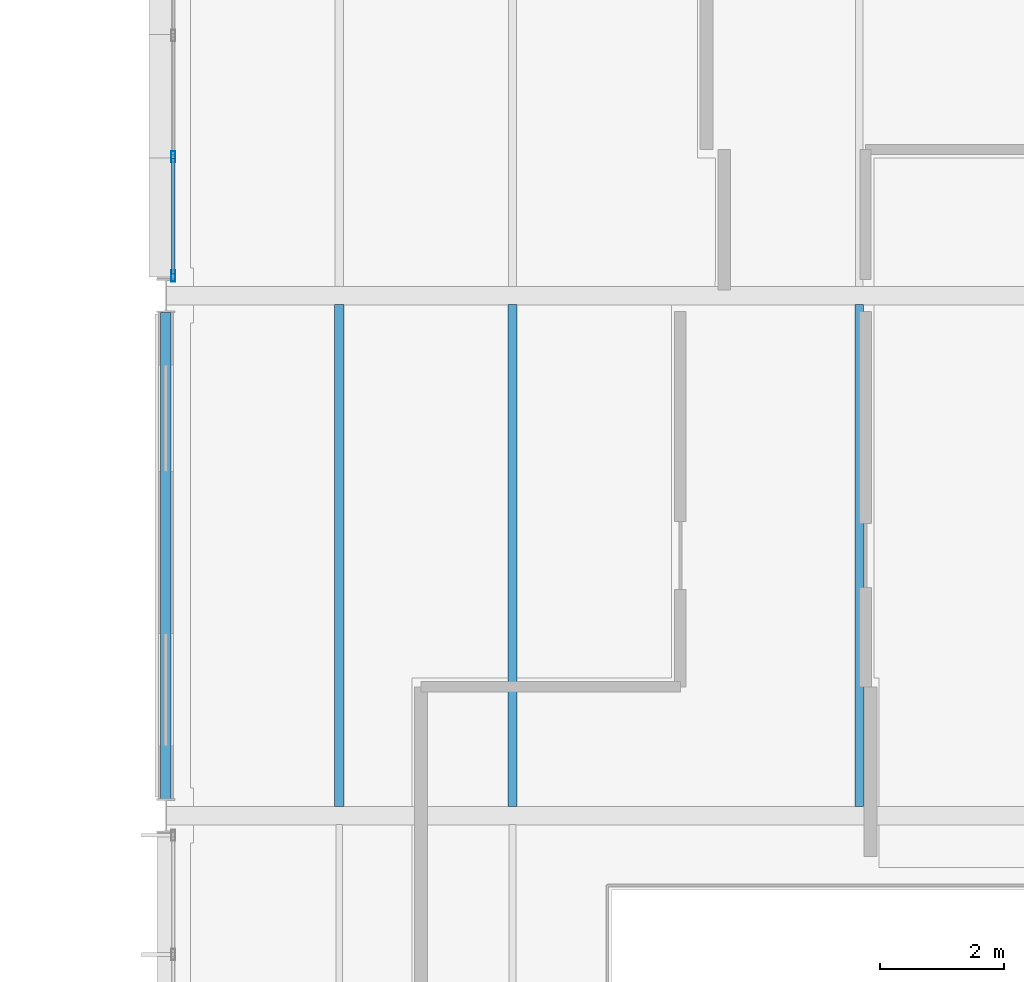
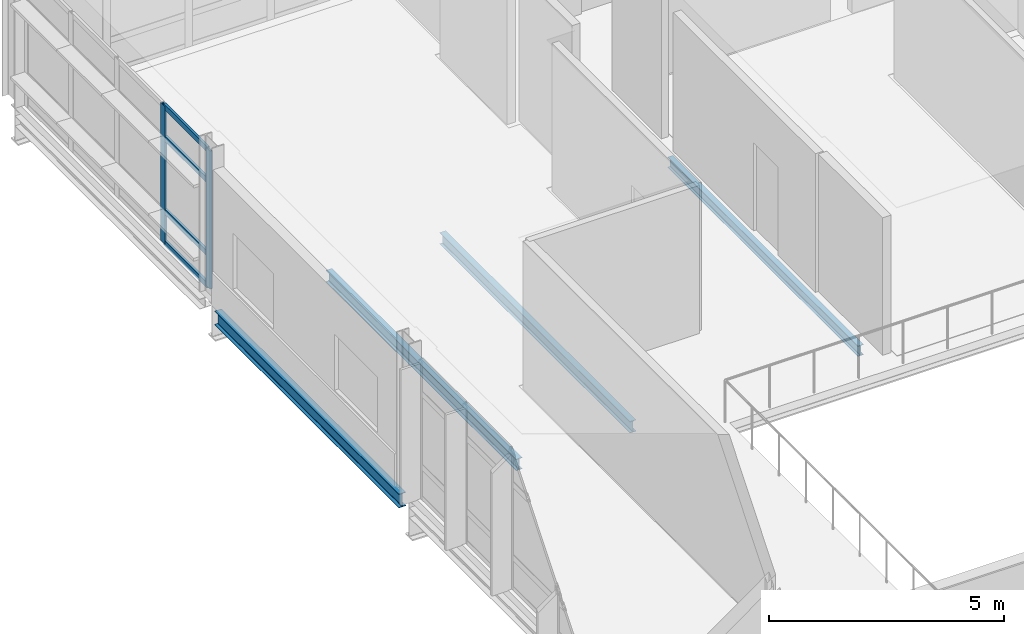
# One storey, part 52 of 131: 6 members, 4 beams, 1 element without a shape of its own.
"""IFC4 building model written with IfcOpenShell, lengths in metres."""

import ifcopenshell
import ifcopenshell.guid

model = None  # the IFC model being written
_history = None  # IfcOwnerHistory: only IFC2X3 demands one
_inside = {}  # id of a spatial element -> (the spatial element, [elements in it])
_under = {}  # id of a project, library or spatial element -> (it, [spatial elements below it])
_declared = {}  # id of a project -> (the project, [libraries it declares])
_typed = {}  # id of a type object -> (the type object, [elements of that type])
_made_of = {}  # id of a material, layer set ... -> (it, [elements and type objects made of it])


def new_model(schema):
    """Start an empty IFC model of exactly this schema.

    Asked for "IFC4X3", IfcOpenShell would pick the latest addendum, in which some entities
    have other attributes; the version numbers below select the first issue.
    IFC2X3 requires an IfcOwnerHistory on every rooted entity: one is made here for all.
    """
    global model, _history
    if schema == "IFC4X3":
        model = ifcopenshell.file(schema_version=(4, 3, 0, 0))
    else:
        model = ifcopenshell.file(schema=schema)
    _inside.clear()
    _under.clear()
    _declared.clear()
    _typed.clear()
    _made_of.clear()
    _history = None
    if model.schema == "IFC2X3":
        org = make("IfcOrganization", Name="unknown")
        user = make(
            "IfcPersonAndOrganization",
            ThePerson=make("IfcPerson", FamilyName="unknown"),
            TheOrganization=org,
        )
        app = make(
            "IfcApplication",
            ApplicationDeveloper=org,
            Version="unknown",
            ApplicationFullName="unknown",
            ApplicationIdentifier="unknown",
        )
        _history = make(
            "IfcOwnerHistory",
            OwningUser=user,
            OwningApplication=app,
            ChangeAction="ADDED",
            CreationDate=0,
        )
    return model


def make(cls, **values):
    """One entity of the class cls with the attributes given. An attribute that is None is left unset."""
    return model.create_entity(
        cls, **{name: value for name, value in values.items() if value is not None}
    )


def rooted(cls, **values):
    """An entity with a GlobalId (a new one), such as an element, a storey or a relation."""
    return make(cls, GlobalId=ifcopenshell.guid.new(), OwnerHistory=_history, **values)


def si_unit(unit_type, name, prefix=None):
    """IfcSIUnit, for example si_unit("LENGTHUNIT", "METRE", prefix="MILLI")."""
    return make("IfcSIUnit", UnitType=unit_type, Prefix=prefix, Name=name)


def assignment(units):
    """IfcUnitAssignment: the units of a project."""
    return None if units is None else make("IfcUnitAssignment", Units=units)


def point(xyz):
    """IfcCartesianPoint."""
    return None if xyz is None else make("IfcCartesianPoint", Coordinates=xyz)


def direction(xyz):
    """IfcDirection."""
    return None if xyz is None else make("IfcDirection", DirectionRatios=xyz)


def frame(location, z_axis=None, x_axis=None):
    """IfcAxis2Placement3D, a coordinate frame: its origin and axes. An axis left out is left unset."""
    return make(
        "IfcAxis2Placement3D",
        Location=point(location),
        Axis=direction(z_axis),
        RefDirection=direction(x_axis),
    )


def frame_2d(location, x_axis=None):
    """IfcAxis2Placement2D, a coordinate frame in the plane: its origin and x axis."""
    return make(
        "IfcAxis2Placement2D", Location=point(location), RefDirection=direction(x_axis)
    )


def origin():
    """The frame at (0, 0, 0) with its axes left unset."""
    return frame((0.0, 0.0, 0.0))


def origin_2d():
    """The frame at (0, 0) in the plane with its x axis left unset."""
    return frame_2d((0.0, 0.0))


def place(relative_to, where):
    """IfcLocalPlacement: puts the frame where relative to a parent placement (None: the world)."""
    return make(
        "IfcLocalPlacement", PlacementRelTo=relative_to, RelativePlacement=where
    )


def context(
    kind, dimensions, precision=None, world=None, true_north=None, identifier=None
):
    """IfcGeometricRepresentationContext, for example the 3D "Model" context."""
    return make(
        "IfcGeometricRepresentationContext",
        ContextIdentifier=identifier,
        ContextType=kind,
        CoordinateSpaceDimension=dimensions,
        Precision=precision,
        WorldCoordinateSystem=world,
        TrueNorth=true_north,
    )


def subcontext(parent, identifier, kind, view, scale=None):
    """IfcGeometricRepresentationSubContext, for example "Body" below "Model"."""
    return make(
        "IfcGeometricRepresentationSubContext",
        ContextIdentifier=identifier,
        ContextType=kind,
        ParentContext=parent,
        TargetScale=scale,
        TargetView=view,
    )


def project(units=None, contexts=None):
    """IfcProject with its units and contexts."""
    return rooted(
        "IfcProject",
        Name="project",
        RepresentationContexts=contexts,
        UnitsInContext=assignment(units),
    )


def spatial(cls, under=None, at=None, **own):
    """A site, building, storey or space (cls), placed at a placement, below another one or the project."""
    s = rooted(cls, ObjectPlacement=at, **own)
    if under is not None:
        _under.setdefault(under.id(), (under, []))[1].append(s)
    return s


def profile(cls, at=None, kind="AREA", **sizes):
    """A parametric profile (cls). Its sizes go by their IFC names, for example OverallWidth=200.0."""
    return make(cls, ProfileType=kind, Position=at, **sizes)


def hollow_rectangle(**sizes):
    """IfcRectangleHollowProfileDef."""
    return profile("IfcRectangleHollowProfileDef", **sizes)


def i_section(**sizes):
    """IfcIShapeProfileDef."""
    return profile("IfcIShapeProfileDef", **sizes)


def extrude(swept, where, along, depth):
    """IfcExtrudedAreaSolid: the profile swept, set in the frame where, extruded along a direction by depth."""
    return make(
        "IfcExtrudedAreaSolid",
        SweptArea=swept,
        Position=where,
        ExtrudedDirection=direction(along),
        Depth=depth,
    )


def shape(context_of_items, identifier, shape_type, items):
    """IfcShapeRepresentation: the items that make up one representation, for example the "Body"."""
    return make(
        "IfcShapeRepresentation",
        ContextOfItems=context_of_items,
        RepresentationIdentifier=identifier,
        RepresentationType=shape_type,
        Items=items,
    )


def material(Name=None, Category=None):
    """IfcMaterial."""
    return make("IfcMaterial", Name=Name, Category=Category)


def material_profile(
    of_material, cross_section, Name=None, Category=None, Priority=None
):
    """IfcMaterialProfile: a cross section and its material."""
    return make(
        "IfcMaterialProfile",
        Name=Name,
        Material=of_material,
        Profile=cross_section,
        Priority=Priority,
        Category=Category,
    )


def profile_set(profiles, Name=None, composite=None):
    """IfcMaterialProfileSet."""
    return make(
        "IfcMaterialProfileSet",
        Name=Name,
        MaterialProfiles=profiles,
        CompositeProfile=composite,
    )


def made_of(thing, what):
    """Note that an element or type object is made of a material, layer set ...; save() writes the relation."""
    if what is not None:
        _made_of.setdefault(what.id(), (what, []))[1].append(thing)
    return thing


def type_object(cls, material=None, **own):
    """A type object (cls), such as IfcWallType, which elements share."""
    return made_of(rooted(cls, **own), material)


def element(
    cls,
    number,
    at=None,
    inside=None,
    cuts=None,
    type_object=None,
    material=None,
    context=None,
    identifier="Body",
    shape_type=None,
    held_by="IfcProductDefinitionShape",
    body=None,
    shapes=None,
    **own,
):
    """One element of the class cls, such as IfcWall. Its Tag is "e" and its number.

    at: its placement. inside: the storey or other place that contains it. cuts: it is an
    opening in that element (IfcRelVoidsElement). A single representation is given by context,
    identifier, shape_type and body (its items); several are given by shapes. held_by: the class
    of the entity that holds the representations. save() writes the other relations.
    """
    e = rooted(cls, Tag="e%d" % number, ObjectPlacement=at, **own)
    if body is not None:
        shapes = [shape(context, identifier, shape_type, body)]
    if shapes is not None:
        e.Representation = make(held_by, Representations=shapes)
    if inside is not None:
        _inside.setdefault(inside.id(), (inside, []))[1].append(e)
    if cuts is not None:
        rooted(
            "IfcRelVoidsElement", RelatingBuildingElement=cuts, RelatedOpeningElement=e
        )
    if type_object is not None:
        _typed.setdefault(type_object.id(), (type_object, []))[1].append(e)
    return made_of(e, material)


def aggregate(whole, parts):
    """IfcRelAggregates: a whole, such as a stair, and the parts it consists of."""
    return rooted("IfcRelAggregates", RelatingObject=whole, RelatedObjects=parts)


def save(model, path):
    """Write the relations noted so far, then the file.

    IfcRelAggregates (storeys below a building ...), IfcRelContainedInSpatialStructure (elements
    in a storey), IfcRelDefinesByType, IfcRelAssociatesMaterial and IfcRelDeclares: one each for
    every whole, place, type object, material and project.
    """
    for whole, parts in _under.values():
        aggregate(whole, parts)
    for where, things in _inside.values():
        rooted(
            "IfcRelContainedInSpatialStructure",
            RelatedElements=things,
            RelatingStructure=where,
        )
    for kind, things in _typed.values():
        rooted("IfcRelDefinesByType", RelatedObjects=things, RelatingType=kind)
    for what, things in _made_of.values():
        rooted("IfcRelAssociatesMaterial", RelatedObjects=things, RelatingMaterial=what)
    for by, libraries in _declared.values():
        rooted("IfcRelDeclares", RelatingContext=by, RelatedDefinitions=libraries)
    model.write(path)


model = new_model("IFC4")

# Units and contexts
model_context = context("Model", 3, precision=1e-05, world=origin(), true_north=direction((0.0, 1.0)))
body_context = subcontext(model_context, "Body", "Model", "MODEL_VIEW")
ifc_project = project(units=[si_unit("LENGTHUNIT", "METRE"), si_unit("AREAUNIT", "SQUARE_METRE"), si_unit("VOLUMEUNIT", "CUBIC_METRE"), si_unit("PLANEANGLEUNIT", "RADIAN"), si_unit("MASSUNIT", "GRAM", prefix="KILO")], contexts=[model_context])

# Site, building, storey
site_placement = place(None, origin())
site = spatial("IfcSite", under=ifc_project, at=site_placement, CompositionType="ELEMENT")
building_placement = place(site_placement, origin())
building = spatial("IfcBuilding", under=site, at=building_placement, Name="Mersafa Astral City Hall", CompositionType="ELEMENT")
storey_placement = place(building_placement, frame((0.0, 0.0, 13.949951171875)))
storey = spatial("IfcBuildingStorey", under=building, at=storey_placement, Name="L03", CompositionType="ELEMENT", Elevation=13.949951171875)

# Curtain wall, members
ifc_material_1 = material(Name="Anodised bronze aluminium framing", Category="aluminium")
curtain_wall_type = type_object("IfcCurtainWallType", Name="ENV-CW-6", PredefinedType="USERDEFINED", material=ifc_material_1)
curtain_wall_placement = place(storey_placement, origin())
curtain_wall = element("IfcCurtainWall", 1, at=curtain_wall_placement, inside=storey, type_object=curtain_wall_type, Name="L03 Unitised solar curtain wall 185", ObjectType="UNITISED CURTAIN WALL", PredefinedType="USERDEFINED")
ifc_material_profile_1 = material_profile(ifc_material_1, hollow_rectangle(XDim=0.06005859375, YDim=0.179931640625, WallThickness=0.00390625, at=origin_2d()), Name="RHS 60x180x4")
ifc_profile_set_1 = profile_set([ifc_material_profile_1], Name="Anodised bronze aluminium framing")
member_type_1 = type_object("IfcMemberType", Name="ENV-CW-MUL-1", PredefinedType="MULLION", material=ifc_profile_set_1)
member_1_placement = place(storey_placement, frame((92.52001953125, 86.243408203125, -0.001953125), z_axis=(0.0, 0.0, 1.0), x_axis=(1.0, 0.0, 0.0)))
member_1 = element("IfcMember", 2, at=member_1_placement, type_object=member_type_1, Name="CW-6 mullion 4", PredefinedType="MULLION", context=body_context, shape_type="SweptSolid", body=[
    extrude(hollow_rectangle(XDim=0.06005859375, YDim=0.179931640625, WallThickness=0.00390625, at=origin_2d()), origin(), (0.0, 0.0, 1.0), 3.593994140625),
])
member_2_placement = place(storey_placement, frame((92.52001953125, 84.31689453125, -0.001953125), z_axis=(0.0, 0.0, 1.0), x_axis=(1.0, 0.0, 0.0)))
member_2 = element("IfcMember", 3, at=member_2_placement, type_object=member_type_1, Name="CW-6 mullion 5", PredefinedType="MULLION", context=body_context, shape_type="SweptSolid", body=[
    extrude(hollow_rectangle(XDim=0.06005859375, YDim=0.179931640625, WallThickness=0.00390625, at=origin_2d()), origin(), (0.0, 0.0, 1.0), 3.593994140625),
])
ifc_material_profile_2 = material_profile(ifc_material_1, hollow_rectangle(XDim=0.06005859375, YDim=0.139892578125, WallThickness=0.00390625, at=origin_2d()), Name="RHS 60x140x4")
ifc_profile_set_2 = profile_set([ifc_material_profile_2], Name="Anodised bronze aluminium framing")
member_type_2 = type_object("IfcMemberType", Name="ENV-CW-TRN-1", PredefinedType="USERDEFINED", material=ifc_profile_set_2)
member_3_placement = place(storey_placement, frame((92.52001953125, 86.21337890625, 0.028076171875), z_axis=(0.0, -1.0, 0.0), x_axis=(1.0, 0.0, 0.0)))
member_3 = element("IfcMember", 4, at=member_3_placement, type_object=member_type_2, Name="CW-6 transom 4.1", ObjectType="TRANSOM", PredefinedType="USERDEFINED", context=body_context, shape_type="SweptSolid", body=[
    extrude(hollow_rectangle(XDim=0.06005859375, YDim=0.139892578125, WallThickness=0.00390625, at=origin_2d()), origin(), (0.0, 0.0, 1.0), 1.866455078125),
])
member_4_placement = place(storey_placement, frame((92.52001953125, 86.21337890625, 0.85009765625), z_axis=(0.0, -1.0, 0.0), x_axis=(1.0, 0.0, 0.0)))
member_4 = element("IfcMember", 5, at=member_4_placement, type_object=member_type_2, Name="CW-6 transom 4.2", ObjectType="TRANSOM", PredefinedType="USERDEFINED", context=body_context, shape_type="SweptSolid", body=[
    extrude(hollow_rectangle(XDim=0.06005859375, YDim=0.139892578125, WallThickness=0.00390625, at=origin_2d()), origin(), (0.0, 0.0, 1.0), 1.866455078125),
])
member_5_placement = place(storey_placement, frame((92.52001953125, 86.21337890625, 2.75), z_axis=(0.0, -1.0, 0.0), x_axis=(1.0, 0.0, 0.0)))
member_5 = element("IfcMember", 6, at=member_5_placement, type_object=member_type_2, Name="CW-6 transom 4.3", ObjectType="TRANSOM", PredefinedType="USERDEFINED", context=body_context, shape_type="SweptSolid", body=[
    extrude(hollow_rectangle(XDim=0.06005859375, YDim=0.139892578125, WallThickness=0.00390625, at=origin_2d()), origin(), (0.0, 0.0, 1.0), 1.866455078125),
])
member_6_placement = place(storey_placement, frame((92.52001953125, 86.21337890625, 3.56201171875), z_axis=(0.0, -1.0, 0.0), x_axis=(1.0, 0.0, 0.0)))
member_6 = element("IfcMember", 7, at=member_6_placement, type_object=member_type_2, Name="CW-6 transom 4.4", ObjectType="TRANSOM", PredefinedType="USERDEFINED", context=body_context, shape_type="SweptSolid", body=[
    extrude(hollow_rectangle(XDim=0.06005859375, YDim=0.139892578125, WallThickness=0.00390625, at=origin_2d()), origin(), (0.0, 0.0, 1.0), 1.866455078125),
])
aggregate(curtain_wall, [member_1, member_2, member_3, member_4, member_5, member_6])

# Beams
ifc_material_2 = material(Name="Steel S355", Category="steel")
ifc_material_profile_3 = material_profile(ifc_material_2, i_section(OverallWidth=0.135009765625, OverallDepth=0.27001953125, WebThickness=0.006591796875, FlangeThickness=0.01025390625, FilletRadius=0.014892578125, at=origin_2d()), Name="IPE 270")
ifc_profile_set_3 = profile_set([ifc_material_profile_3], Name="Steel S355")
beam_type_1 = type_object("IfcBeamType", Name="STR-BM-JOIST-IPE270", PredefinedType="JOIST", material=ifc_profile_set_3)
beam_1_placement = place(storey_placement, frame((103.60009765625, 75.7451171875, -0.3349609375), z_axis=(0.0, 1.0, 0.0), x_axis=(-1.0, 0.0, 0.0)))
element("IfcBeam", 8, at=beam_1_placement, inside=storey, type_object=beam_type_1, Name="L03 Composite secondary floor joist 594", PredefinedType="JOIST", context=body_context, shape_type="SweptSolid", body=[
    extrude(i_section(OverallWidth=0.135009765625, OverallDepth=0.27001953125, WebThickness=0.006591796875, FlangeThickness=0.01025390625, FilletRadius=0.014892578125, at=origin_2d()), origin(), (0.0, 0.0, 1.0), 8.10986328125),
])
ifc_material_profile_4 = material_profile(ifc_material_2, i_section(OverallWidth=0.14990234375, OverallDepth=0.300048828125, WebThickness=0.007080078125, FlangeThickness=0.0107421875, FilletRadius=0.014892578125, at=origin_2d()), Name="IPE 300")
ifc_profile_set_4 = profile_set([ifc_material_profile_4], Name="Steel S355")
beam_type_2 = type_object("IfcBeamType", Name="STR-BM-JOIST-IPE300", PredefinedType="JOIST", material=ifc_profile_set_4)
for number, where, z_axis, x_axis, name in (
    (9, (95.199951171875, 75.7451171875, -0.349853515625), (0.0, 1.0, 0.0), (-1.0, 0.0, 0.0), "L03 Composite secondary floor joist 588"),
    (10, (98.0, 75.7451171875, -0.349853515625), (0.0, 1.0, 0.0), (-1.0, 0.0, 0.0), "L03 Composite secondary floor joist 589"),
):
    element("IfcBeam", number, at=place(storey_placement, frame(where, z_axis=z_axis, x_axis=x_axis)), inside=storey, type_object=beam_type_2, Name=name, PredefinedType="JOIST", context=body_context, shape_type="SweptSolid", body=[
        extrude(i_section(OverallWidth=0.14990234375, OverallDepth=0.300048828125, WebThickness=0.007080078125, FlangeThickness=0.0107421875, FilletRadius=0.014892578125, at=origin_2d()), origin(), (0.0, 0.0, 1.0), 8.10986328125),
    ])
ifc_material_profile_5 = material_profile(ifc_material_2, i_section(OverallWidth=0.169921875, OverallDepth=0.360107421875, WebThickness=0.008056640625, FlangeThickness=0.0126953125, FilletRadius=0.01806640625, at=origin_2d()), Name="IPE 360")
ifc_profile_set_5 = profile_set([ifc_material_profile_5], Name="Steel S355")
beam_type_3 = type_object("IfcBeamType", Name="STR-BM-SPANDREL-IPE360", PredefinedType="SPANDREL", material=ifc_profile_set_5)
beam_2_placement = place(storey_placement, frame((92.39990234375, 75.8701171875, -0.3798828125), z_axis=(0.0, 1.0, 0.0), x_axis=(-1.0, 0.0, 0.0)))
element("IfcBeam", 11, at=beam_2_placement, inside=storey, type_object=beam_type_3, Name="L03 Primary girder Y 11-9", PredefinedType="SPANDREL", context=body_context, shape_type="SweptSolid", body=[
    extrude(i_section(OverallWidth=0.169921875, OverallDepth=0.360107421875, WebThickness=0.008056640625, FlangeThickness=0.0126953125, FilletRadius=0.01806640625, at=origin_2d()), origin(), (0.0, 0.0, 1.0), 7.85986328125),
])

save(model, "model.ifc")
